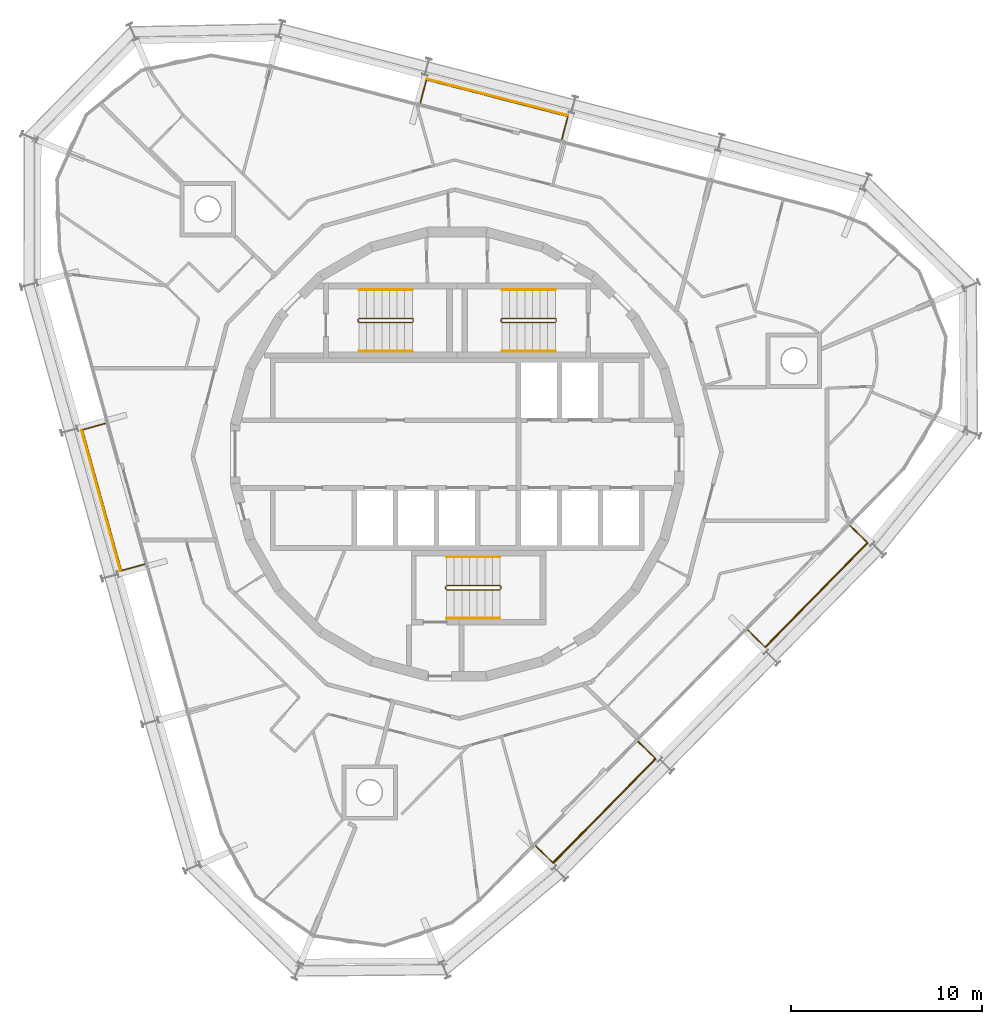
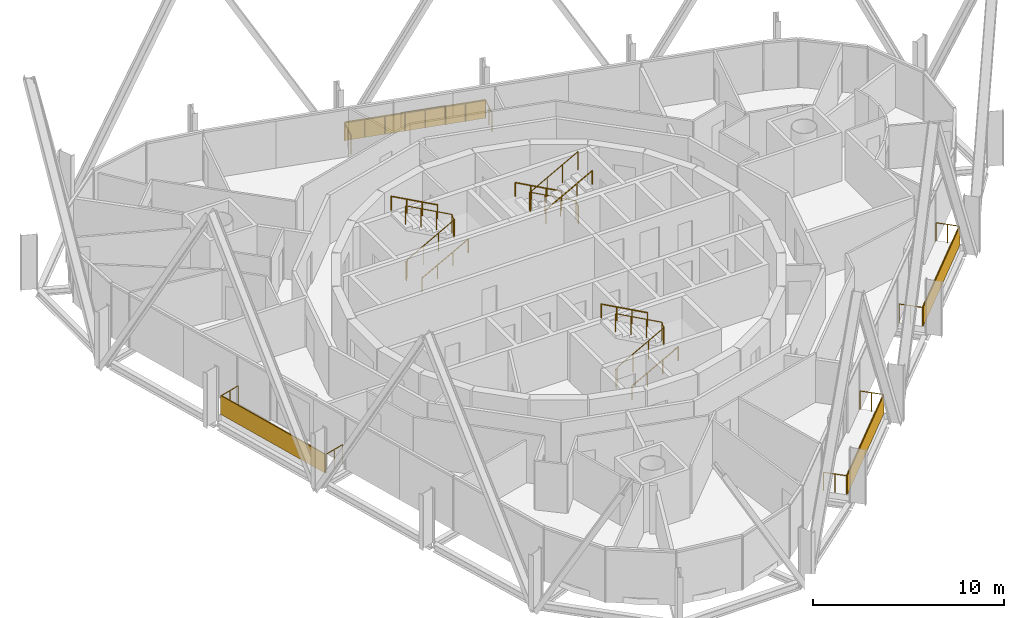
# One storey, part 15 of 15: 13 railings, 4 shading devices.
"""IFC4 building model written with IfcOpenShell, lengths in metres."""

from ifc_helpers import new_model, si_unit, direction, frame, origin, origin_2d, place, context, subcontext, project, spatial, rectangle, circle, extrude, material, layer, layer_set, type_object, element, save


model = new_model("IFC4")

# Units and contexts
model_context = context("Model", 3, precision=1e-05, world=origin(), true_north=direction((0.0, 1.0)))
body_context = subcontext(model_context, "Body", "Model", "MODEL_VIEW")
ifc_project = project(units=[si_unit("LENGTHUNIT", "METRE"), si_unit("AREAUNIT", "SQUARE_METRE"), si_unit("VOLUMEUNIT", "CUBIC_METRE"), si_unit("PLANEANGLEUNIT", "RADIAN"), si_unit("MASSUNIT", "GRAM", prefix="KILO")], contexts=[model_context])

# Site, building, storey
site_placement = place(None, origin())
site = spatial("IfcSite", under=ifc_project, at=site_placement, CompositionType="ELEMENT")
building_placement = place(site_placement, origin())
building = spatial("IfcBuilding", under=site, at=building_placement, Name="Spindle Arch Residences", CompositionType="ELEMENT")
storey_placement = place(building_placement, frame((0.0, 0.0, 312.199951171875)))
storey = spatial("IfcBuildingStorey", under=building, at=storey_placement, Name="L80", CompositionType="ELEMENT", Elevation=312.199951171875)

# Railings
ifc_material_1 = material(Name="Bronze anodised aluminium guard with glass infill", Category="aluminium")
railing_type_1 = type_object("IfcRailingType", Name="Balcony guard 1200", PredefinedType="GUARDRAIL", material=ifc_material_1)
railing_1_placement = place(storey_placement, frame((15.253662109375, -9.23779296875, 0.0)))
element("IfcRailing", 1, at=railing_1_placement, inside=storey, type_object=railing_type_1, Name="Guard L80 bay 1", PredefinedType="GUARDRAIL", context=body_context, shape_type="SweptSolid", body=[
    extrude(circle(Radius=0.02392578125, at=origin_2d()), frame((0.0, 0.0, 1.17578125), z_axis=(0.713231937859, -0.700928101034, 0.0), x_axis=(0.700928101034, 0.713231937859, 0.0)), (0.0, 0.0, 1.0), 1.25),
    extrude(circle(Radius=0.02392578125, at=origin_2d()), frame((0.8916015625, -0.876220703125, 1.17578125), z_axis=(0.700916720912, 0.713243121485, 0.0), x_axis=(-0.713243121485, 0.700916720912, 0.0)), (0.0, 0.0, 1.0), 7.6650390625),
    extrude(circle(Radius=0.02392578125, at=origin_2d()), frame((6.26416015625, 4.5908203125, 1.17578125), z_axis=(-0.713231937859, 0.700928101034, 0.0), x_axis=(-0.700928101034, -0.713231937859, 0.0)), (0.0, 0.0, 1.0), 1.25),
    extrude(circle(Radius=0.02099609375, at=origin_2d()), origin(), (0.0, 0.0, 1.0), 1.15185546875),
    extrude(circle(Radius=0.02099609375, at=origin_2d()), frame((0.44580078125, -0.43798828125, 0.0)), (0.0, 0.0, 1.0), 1.15185546875),
    extrude(circle(Radius=0.02099609375, at=origin_2d()), frame((0.8916015625, -0.876220703125, 0.0)), (0.0, 0.0, 1.0), 1.15185546875),
    extrude(circle(Radius=0.02099609375, at=origin_2d()), frame((1.6591796875, -0.09521484375, 0.0)), (0.0, 0.0, 1.0), 1.15185546875),
    extrude(circle(Radius=0.02099609375, at=origin_2d()), frame((2.426513671875, 0.685791015625, 0.0)), (0.0, 0.0, 1.0), 1.15185546875),
    extrude(circle(Radius=0.02099609375, at=origin_2d()), frame((3.194091796875, 1.466796875, 0.0)), (0.0, 0.0, 1.0), 1.15185546875),
    extrude(circle(Radius=0.02099609375, at=origin_2d()), frame((3.961669921875, 2.247802734375, 0.0)), (0.0, 0.0, 1.0), 1.15185546875),
    extrude(circle(Radius=0.02099609375, at=origin_2d()), frame((4.729248046875, 3.02880859375, 0.0)), (0.0, 0.0, 1.0), 1.15185546875),
    extrude(circle(Radius=0.02099609375, at=origin_2d()), frame((5.49658203125, 3.809814453125, 0.0)), (0.0, 0.0, 1.0), 1.15185546875),
    extrude(circle(Radius=0.02099609375, at=origin_2d()), frame((6.26416015625, 4.5908203125, 0.0)), (0.0, 0.0, 1.0), 1.15185546875),
    extrude(circle(Radius=0.02099609375, at=origin_2d()), frame((5.818359375, 5.02880859375, 0.0)), (0.0, 0.0, 1.0), 1.15185546875),
    extrude(circle(Radius=0.02099609375, at=origin_2d()), frame((5.37255859375, 5.467041015625, 0.0)), (0.0, 0.0, 1.0), 1.15185546875),
])
railing_2_placement = place(storey_placement, frame((5.494873046875, 16.50439453125, 0.0)))
element("IfcRailing", 2, at=railing_2_placement, inside=storey, type_object=railing_type_1, Name="Guard L80 bay 7", PredefinedType="GUARDRAIL", context=body_context, shape_type="SweptSolid", body=[
    extrude(circle(Radius=0.02392578125, at=origin_2d()), frame((0.0, 0.0, 1.17578125), z_axis=(0.250385978254, 0.968146095325, 0.0), x_axis=(-0.968146095325, 0.250385978254, 0.0)), (0.0, 0.0, 1.0), 1.25),
    extrude(circle(Radius=0.02392578125, at=origin_2d()), frame((0.31298828125, 1.210205078125, 1.17578125), z_axis=(-0.968147177851, 0.250381792508, 0.0), x_axis=(-0.250381792508, -0.968147177851, 0.0)), (0.0, 0.0, 1.0), 7.6650390625),
    extrude(circle(Radius=0.02392578125, at=origin_2d()), frame((-7.10791015625, 3.12939453125, 1.17578125), z_axis=(-0.250385978254, -0.968146095325, 0.0), x_axis=(0.968146095325, -0.250385978254, 0.0)), (0.0, 0.0, 1.0), 1.25),
    extrude(circle(Radius=0.02099609375, at=origin_2d()), origin(), (0.0, 0.0, 1.0), 1.15185546875),
    extrude(circle(Radius=0.02099609375, at=origin_2d()), frame((0.156494140625, 0.60498046875, 0.0)), (0.0, 0.0, 1.0), 1.15185546875),
    extrude(circle(Radius=0.02099609375, at=origin_2d()), frame((0.31298828125, 1.210205078125, 0.0)), (0.0, 0.0, 1.0), 1.15185546875),
    extrude(circle(Radius=0.02099609375, at=origin_2d()), frame((-0.7470703125, 1.484375, 0.0)), (0.0, 0.0, 1.0), 1.15185546875),
    extrude(circle(Radius=0.02099609375, at=origin_2d()), frame((-1.807373046875, 1.758544921875, 0.0)), (0.0, 0.0, 1.0), 1.15185546875),
    extrude(circle(Radius=0.02099609375, at=origin_2d()), frame((-2.867431640625, 2.03271484375, 0.0)), (0.0, 0.0, 1.0), 1.15185546875),
    extrude(circle(Radius=0.02099609375, at=origin_2d()), frame((-3.927490234375, 2.306884765625, 0.0)), (0.0, 0.0, 1.0), 1.15185546875),
    extrude(circle(Radius=0.02099609375, at=origin_2d()), frame((-4.987548828125, 2.5810546875, 0.0)), (0.0, 0.0, 1.0), 1.15185546875),
    extrude(circle(Radius=0.02099609375, at=origin_2d()), frame((-6.0478515625, 2.855224609375, 0.0)), (0.0, 0.0, 1.0), 1.15185546875),
    extrude(circle(Radius=0.02099609375, at=origin_2d()), frame((-7.10791015625, 3.12939453125, 0.0)), (0.0, 0.0, 1.0), 1.15185546875),
    extrude(circle(Radius=0.02099609375, at=origin_2d()), frame((-7.264404296875, 2.5244140625, 0.0)), (0.0, 0.0, 1.0), 1.15185546875),
    extrude(circle(Radius=0.02099609375, at=origin_2d()), frame((-7.4208984375, 1.919189453125, 0.0)), (0.0, 0.0, 1.0), 1.15185546875),
])
railing_3_placement = place(storey_placement, frame((-18.45458984375, 1.604248046875, 0.0)))
element("IfcRailing", 3, at=railing_3_placement, inside=storey, type_object=railing_type_1, Name="Guard L80 bay 13", PredefinedType="GUARDRAIL", context=body_context, shape_type="SweptSolid", body=[
    extrude(circle(Radius=0.02392578125, at=origin_2d()), frame((0.0, 0.0, 1.17578125), z_axis=(-0.963582246814, -0.267412141879, 0.0), x_axis=(0.267412141879, -0.963582246814, 0.0)), (0.0, 0.0, 1.0), 1.249755859375),
    extrude(circle(Radius=0.02392578125, at=origin_2d()), frame((-1.204345703125, -0.334228515625, 1.17578125), z_axis=(0.267233148219, -0.963631903007, 0.0), x_axis=(0.963631903007, 0.267233148219, 0.0)), (0.0, 0.0, 1.0), 7.6650390625),
    extrude(circle(Radius=0.02392578125, at=origin_2d()), frame((0.843994140625, -7.720458984375, 1.17578125), z_axis=(0.963646510798, 0.267180467526, 0.0), x_axis=(-0.267180467526, 0.963646510798, 0.0)), (0.0, 0.0, 1.0), 1.25),
    extrude(circle(Radius=0.02099609375, at=origin_2d()), origin(), (0.0, 0.0, 1.0), 1.15185546875),
    extrude(circle(Radius=0.02099609375, at=origin_2d()), frame((-0.60205078125, -0.1669921875, 0.0)), (0.0, 0.0, 1.0), 1.15185546875),
    extrude(circle(Radius=0.02099609375, at=origin_2d()), frame((-1.204345703125, -0.334228515625, 0.0)), (0.0, 0.0, 1.0), 1.15185546875),
    extrude(circle(Radius=0.02099609375, at=origin_2d()), frame((-0.91162109375, -1.389404296875, 0.0)), (0.0, 0.0, 1.0), 1.15185546875),
    extrude(circle(Radius=0.02099609375, at=origin_2d()), frame((-0.619140625, -2.444580078125, 0.0)), (0.0, 0.0, 1.0), 1.15185546875),
    extrude(circle(Radius=0.02099609375, at=origin_2d()), frame((-0.326416015625, -3.499755859375, 0.0)), (0.0, 0.0, 1.0), 1.15185546875),
    extrude(circle(Radius=0.02099609375, at=origin_2d()), frame((-0.033935546875, -4.554931640625, 0.0)), (0.0, 0.0, 1.0), 1.15185546875),
    extrude(circle(Radius=0.02099609375, at=origin_2d()), frame((0.2587890625, -5.610107421875, 0.0)), (0.0, 0.0, 1.0), 1.15185546875),
    extrude(circle(Radius=0.02099609375, at=origin_2d()), frame((0.55126953125, -6.665283203125, 0.0)), (0.0, 0.0, 1.0), 1.15185546875),
    extrude(circle(Radius=0.02099609375, at=origin_2d()), frame((0.843994140625, -7.720458984375, 0.0)), (0.0, 0.0, 1.0), 1.15185546875),
    extrude(circle(Radius=0.02099609375, at=origin_2d()), frame((1.4462890625, -7.553466796875, 0.0)), (0.0, 0.0, 1.0), 1.15185546875),
    extrude(circle(Radius=0.02099609375, at=origin_2d()), frame((2.048583984375, -7.386474609375, 0.0)), (0.0, 0.0, 1.0), 1.15185546875),
])
railing_4_placement = place(storey_placement, frame((4.130126953125, -20.557373046875, 0.0)))
element("IfcRailing", 4, at=railing_4_placement, inside=storey, type_object=railing_type_1, Name="Guard L80 bay 19", PredefinedType="GUARDRAIL", context=body_context, shape_type="SweptSolid", body=[
    extrude(circle(Radius=0.02392578125, at=origin_2d()), frame((0.0, 0.0, 1.17578125), z_axis=(0.71332957902, -0.700828732071, 0.0), x_axis=(0.700828732071, 0.71332957902, 0.0)), (0.0, 0.0, 1.0), 1.25),
    extrude(circle(Radius=0.02392578125, at=origin_2d()), frame((0.8916015625, -0.8759765625, 1.17578125), z_axis=(0.700916720912, 0.713243121485, 0.0), x_axis=(-0.713243121485, 0.700916720912, 0.0)), (0.0, 0.0, 1.0), 7.6650390625),
    extrude(circle(Radius=0.02392578125, at=origin_2d()), frame((6.26416015625, 4.591064453125, 1.17578125), z_axis=(-0.713231937859, 0.700928101034, 0.0), x_axis=(-0.700928101034, -0.713231937859, 0.0)), (0.0, 0.0, 1.0), 1.25),
    extrude(circle(Radius=0.02099609375, at=origin_2d()), origin(), (0.0, 0.0, 1.0), 1.15185546875),
    extrude(circle(Radius=0.02099609375, at=origin_2d()), frame((0.44580078125, -0.43798828125, 0.0)), (0.0, 0.0, 1.0), 1.15185546875),
    extrude(circle(Radius=0.02099609375, at=origin_2d()), frame((0.8916015625, -0.8759765625, 0.0)), (0.0, 0.0, 1.0), 1.15185546875),
    extrude(circle(Radius=0.02099609375, at=origin_2d()), frame((1.6591796875, -0.094970703125, 0.0)), (0.0, 0.0, 1.0), 1.15185546875),
    extrude(circle(Radius=0.02099609375, at=origin_2d()), frame((2.426513671875, 0.68603515625, 0.0)), (0.0, 0.0, 1.0), 1.15185546875),
    extrude(circle(Radius=0.02099609375, at=origin_2d()), frame((3.194091796875, 1.467041015625, 0.0)), (0.0, 0.0, 1.0), 1.15185546875),
    extrude(circle(Radius=0.02099609375, at=origin_2d()), frame((3.961669921875, 2.248046875, 0.0)), (0.0, 0.0, 1.0), 1.15185546875),
    extrude(circle(Radius=0.02099609375, at=origin_2d()), frame((4.729248046875, 3.029052734375, 0.0)), (0.0, 0.0, 1.0), 1.15185546875),
    extrude(circle(Radius=0.02099609375, at=origin_2d()), frame((5.49658203125, 3.81005859375, 0.0)), (0.0, 0.0, 1.0), 1.15185546875),
    extrude(circle(Radius=0.02099609375, at=origin_2d()), frame((6.26416015625, 4.591064453125, 0.0)), (0.0, 0.0, 1.0), 1.15185546875),
    extrude(circle(Radius=0.02099609375, at=origin_2d()), frame((5.818359375, 5.029296875, 0.0)), (0.0, 0.0, 1.0), 1.15185546875),
    extrude(circle(Radius=0.02099609375, at=origin_2d()), frame((5.37255859375, 5.46728515625, 0.0)), (0.0, 0.0, 1.0), 1.15185546875),
])

# Shading devices
ifc_material_2 = material(Name="Bronze perforated cobogo screen")
ifc_layer = layer(ifc_material_2, 0.0390625)
ifc_layer_set = layer_set([ifc_layer], Name="Cobogo screen 1200")
shading_device_type = type_object("IfcShadingDeviceType", Name="Cobogo screen 1200", PredefinedType="USERDEFINED", material=ifc_layer_set)
for number, where, z_axis, x_axis, name in (
    (5, (18.8603515625, -7.408935546875, 0.0), (0.0, 0.0, 1.0), (0.7009092643, 0.713250449154, 0.0), "Cobogo screen L80 bay 1"),
    (6, (2.107666015625, 18.71337890625, 0.0), (0.0, 0.0, 1.0), (-0.968147640378, 0.250380004054, 0.0), "Cobogo screen L80 bay 7"),
    (7, (-18.673828125, -2.433837890625, 0.0), (0.0, 0.0, 1.0), (0.267238376078, -0.963630453209, 0.0), "Cobogo screen L80 bay 13"),
    (8, (7.73681640625, -18.728271484375, 0.0), (0.0, 0.0, 1.0), (0.7009092643, 0.713250449154, 0.0), "Cobogo screen L80 bay 19"),
):
    element("IfcShadingDevice", number, at=place(storey_placement, frame(where, z_axis=z_axis, x_axis=x_axis)), inside=storey, type_object=shading_device_type, Name=name, ObjectType="SCREEN", PredefinedType="USERDEFINED", context=body_context, shape_type="SweptSolid", body=[
        extrude(rectangle(XDim=7.6650390625, YDim=0.0390625, at=origin_2d()), origin(), (0.0, 0.0, 1.0), 1.199951171875),
    ])

# Railings
ifc_material_3 = material(Name="Steel, painted", Category="steel")
railing_type_2 = type_object("IfcRailingType", Name="Stair guard 1100", PredefinedType="GUARDRAIL", material=ifc_material_3)
railing_5_placement = place(storey_placement, frame((5.14990234375, 6.89990234375, 3.5)))
element("IfcRailing", 9, at=railing_5_placement, inside=storey, type_object=railing_type_2, Name="L80 ST1 stair guard 1", PredefinedType="GUARDRAIL", context=body_context, shape_type="SweptSolid", body=[
    extrude(circle(Radius=0.02392578125, at=origin_2d()), frame((0.0, 0.0, 1.17578125), z_axis=(-0.877357048833, 0.0, -0.479838106931), x_axis=(0.0, -1.0, 0.0)), (0.0, 0.0, 1.0), 3.191162109375),
    extrude(circle(Radius=0.02392578125, at=origin_2d()), frame((-2.7998046875, 0.0, -0.35546875), z_axis=(-0.217683172539, 0.217683172539, -0.951434744366), x_axis=(-0.707106781187, -0.707106781187, 0.0)), (0.0, 0.0, 1.0), 0.22998046875),
    extrude(circle(Radius=0.02392578125, at=origin_2d()), frame((-2.849853515625, 0.050048828125, -0.57421875), z_axis=(0.0, 1.0, 0.0), x_axis=(-1.0, 0.0, 0.0)), (0.0, 0.0, 1.0), 0.1201171875),
    extrude(circle(Radius=0.02392578125, at=origin_2d()), frame((-2.849853515625, 0.170166015625, -0.57421875), z_axis=(0.707106781187, 0.707106781187, 0.0), x_axis=(-0.707106781187, 0.707106781187, 0.0)), (0.0, 0.0, 1.0), 0.07080078125),
    extrude(circle(Radius=0.02392578125, at=origin_2d()), frame((-2.7998046875, 0.22021484375, -0.57421875), z_axis=(0.877357048833, 0.0, -0.479838106931), x_axis=(0.0, 1.0, 0.0)), (0.0, 0.0, 1.0), 3.191162109375),
    extrude(circle(Radius=0.02392578125, at=origin_2d()), frame((0.0, 0.22021484375, -2.10546875), z_axis=(0.217683172539, -0.217683172539, -0.951434744366), x_axis=(0.707106781187, 0.707106781187, 0.0)), (0.0, 0.0, 1.0), 0.22998046875),
    extrude(circle(Radius=0.02392578125, at=origin_2d()), frame((0.050048828125, 0.170166015625, -2.32421875), z_axis=(0.0, -1.0, 0.0), x_axis=(1.0, 0.0, 0.0)), (0.0, 0.0, 1.0), 0.1201171875),
    extrude(circle(Radius=0.02099609375, at=origin_2d()), origin(), (0.0, 0.0, 1.0), 1.15185546875),
    extrude(circle(Radius=0.02099609375, at=origin_2d()), frame((-0.933349609375, 0.0, -0.510498046875)), (0.0, 0.0, 1.0), 1.15185546875),
    extrude(circle(Radius=0.02099609375, at=origin_2d()), frame((-1.866455078125, 0.0, -1.020751953125)), (0.0, 0.0, 1.0), 1.15185546875),
    extrude(circle(Radius=0.02099609375, at=origin_2d()), frame((-2.7998046875, 0.0, -1.53125)), (0.0, 0.0, 1.0), 1.15185546875),
    extrude(circle(Radius=0.02099609375, at=origin_2d()), frame((-2.849853515625, 0.050048828125, -1.75)), (0.0, 0.0, 1.0), 1.15185546875),
    extrude(circle(Radius=0.02099609375, at=origin_2d()), frame((-2.849853515625, 0.170166015625, -1.75)), (0.0, 0.0, 1.0), 1.15185546875),
    extrude(circle(Radius=0.02099609375, at=origin_2d()), frame((-2.7998046875, 0.22021484375, -1.75)), (0.0, 0.0, 1.0), 1.15185546875),
    extrude(circle(Radius=0.02099609375, at=origin_2d()), frame((-1.866455078125, 0.22021484375, -2.260498046875)), (0.0, 0.0, 1.0), 1.15185546875),
    extrude(circle(Radius=0.02099609375, at=origin_2d()), frame((-0.933349609375, 0.22021484375, -2.770751953125)), (0.0, 0.0, 1.0), 1.15185546875),
    extrude(circle(Radius=0.02099609375, at=origin_2d()), frame((0.0, 0.22021484375, -3.28125)), (0.0, 0.0, 1.0), 1.15185546875),
    extrude(circle(Radius=0.02099609375, at=origin_2d()), frame((0.050048828125, 0.170166015625, -3.5)), (0.0, 0.0, 1.0), 1.15185546875),
    extrude(circle(Radius=0.02099609375, at=origin_2d()), frame((0.050048828125, 0.050048828125, -3.5)), (0.0, 0.0, 1.0), 1.15185546875),
])
railing_6_placement = place(storey_placement, frame((-5.14990234375, 7.1201171875, 3.5)))
element("IfcRailing", 10, at=railing_6_placement, inside=storey, type_object=railing_type_2, Name="L80 ST2 stair guard 1", PredefinedType="GUARDRAIL", context=body_context, shape_type="SweptSolid", body=[
    extrude(circle(Radius=0.02392578125, at=origin_2d()), frame((0.0, 0.0, 1.17578125), z_axis=(0.877357048833, 0.0, -0.479838106931), x_axis=(0.0, 1.0, 0.0)), (0.0, 0.0, 1.0), 3.191162109375),
    extrude(circle(Radius=0.02392578125, at=origin_2d()), frame((2.7998046875, 0.0, -0.35546875), z_axis=(0.217683172539, -0.217683172539, -0.951434744366), x_axis=(0.707106781187, 0.707106781187, 0.0)), (0.0, 0.0, 1.0), 0.22998046875),
    extrude(circle(Radius=0.02392578125, at=origin_2d()), frame((2.849853515625, -0.050048828125, -0.57421875), z_axis=(0.0, -1.0, 0.0), x_axis=(1.0, 0.0, 0.0)), (0.0, 0.0, 1.0), 0.1201171875),
    extrude(circle(Radius=0.02392578125, at=origin_2d()), frame((2.849853515625, -0.170166015625, -0.57421875), z_axis=(-0.707106781187, -0.707106781187, 0.0), x_axis=(0.707106781187, -0.707106781187, 0.0)), (0.0, 0.0, 1.0), 0.07080078125),
    extrude(circle(Radius=0.02392578125, at=origin_2d()), frame((2.7998046875, -0.22021484375, -0.57421875), z_axis=(-0.877357048833, 0.0, -0.479838106931), x_axis=(0.0, -1.0, 0.0)), (0.0, 0.0, 1.0), 3.191162109375),
    extrude(circle(Radius=0.02392578125, at=origin_2d()), frame((0.0, -0.22021484375, -2.10546875), z_axis=(-0.217683172539, 0.217683172539, -0.951434744366), x_axis=(-0.707106781187, -0.707106781187, 0.0)), (0.0, 0.0, 1.0), 0.22998046875),
    extrude(circle(Radius=0.02392578125, at=origin_2d()), frame((-0.050048828125, -0.170166015625, -2.32421875), z_axis=(0.0, 1.0, 0.0), x_axis=(-1.0, 0.0, 0.0)), (0.0, 0.0, 1.0), 0.1201171875),
    extrude(circle(Radius=0.02099609375, at=origin_2d()), origin(), (0.0, 0.0, 1.0), 1.15185546875),
    extrude(circle(Radius=0.02099609375, at=origin_2d()), frame((0.933349609375, 0.0, -0.510498046875)), (0.0, 0.0, 1.0), 1.15185546875),
    extrude(circle(Radius=0.02099609375, at=origin_2d()), frame((1.866455078125, 0.0, -1.020751953125)), (0.0, 0.0, 1.0), 1.15185546875),
    extrude(circle(Radius=0.02099609375, at=origin_2d()), frame((2.7998046875, 0.0, -1.53125)), (0.0, 0.0, 1.0), 1.15185546875),
    extrude(circle(Radius=0.02099609375, at=origin_2d()), frame((2.849853515625, -0.050048828125, -1.75)), (0.0, 0.0, 1.0), 1.15185546875),
    extrude(circle(Radius=0.02099609375, at=origin_2d()), frame((2.849853515625, -0.170166015625, -1.75)), (0.0, 0.0, 1.0), 1.15185546875),
    extrude(circle(Radius=0.02099609375, at=origin_2d()), frame((2.7998046875, -0.22021484375, -1.75)), (0.0, 0.0, 1.0), 1.15185546875),
    extrude(circle(Radius=0.02099609375, at=origin_2d()), frame((1.866455078125, -0.22021484375, -2.260498046875)), (0.0, 0.0, 1.0), 1.15185546875),
    extrude(circle(Radius=0.02099609375, at=origin_2d()), frame((0.933349609375, -0.22021484375, -2.770751953125)), (0.0, 0.0, 1.0), 1.15185546875),
    extrude(circle(Radius=0.02099609375, at=origin_2d()), frame((0.0, -0.22021484375, -3.28125)), (0.0, 0.0, 1.0), 1.15185546875),
    extrude(circle(Radius=0.02099609375, at=origin_2d()), frame((-0.050048828125, -0.170166015625, -3.5)), (0.0, 0.0, 1.0), 1.15185546875),
    extrude(circle(Radius=0.02099609375, at=origin_2d()), frame((-0.050048828125, -0.050048828125, -3.5)), (0.0, 0.0, 1.0), 1.15185546875),
])
railing_7_placement = place(storey_placement, frame((-0.550048828125, -6.89990234375, 3.5)))
element("IfcRailing", 11, at=railing_7_placement, inside=storey, type_object=railing_type_2, Name="L80 ST3 stair guard 1", PredefinedType="GUARDRAIL", context=body_context, shape_type="SweptSolid", body=[
    extrude(circle(Radius=0.02392578125, at=origin_2d()), frame((0.0, 0.0, 1.17578125), z_axis=(0.877374661878, 0.0, -0.479805901063), x_axis=(0.0, 1.0, 0.0)), (0.0, 0.0, 1.0), 3.19140625),
    extrude(circle(Radius=0.02392578125, at=origin_2d()), frame((2.800048828125, 0.0, -0.35546875), z_axis=(0.217683172539, -0.217683172539, -0.951434744366), x_axis=(0.707106781187, 0.707106781187, 0.0)), (0.0, 0.0, 1.0), 0.22998046875),
    extrude(circle(Radius=0.02392578125, at=origin_2d()), frame((2.85009765625, -0.050048828125, -0.57421875), z_axis=(0.0, -1.0, 0.0), x_axis=(1.0, 0.0, 0.0)), (0.0, 0.0, 1.0), 0.1201171875),
    extrude(circle(Radius=0.02392578125, at=origin_2d()), frame((2.85009765625, -0.170166015625, -0.57421875), z_axis=(-0.707106781187, -0.707106781187, 0.0), x_axis=(0.707106781187, -0.707106781187, 0.0)), (0.0, 0.0, 1.0), 0.07080078125),
    extrude(circle(Radius=0.02392578125, at=origin_2d()), frame((2.800048828125, -0.22021484375, -0.57421875), z_axis=(-0.877374661878, 0.0, -0.479805901063), x_axis=(0.0, -1.0, 0.0)), (0.0, 0.0, 1.0), 3.19140625),
    extrude(circle(Radius=0.02392578125, at=origin_2d()), frame((0.0, -0.22021484375, -2.10546875), z_axis=(-0.217683172539, 0.217683172539, -0.951434744366), x_axis=(-0.707106781187, -0.707106781187, 0.0)), (0.0, 0.0, 1.0), 0.22998046875),
    extrude(circle(Radius=0.02392578125, at=origin_2d()), frame((-0.050048828125, -0.170166015625, -2.32421875), z_axis=(0.0, 1.0, 0.0), x_axis=(-1.0, 0.0, 0.0)), (0.0, 0.0, 1.0), 0.1201171875),
    extrude(circle(Radius=0.02099609375, at=origin_2d()), origin(), (0.0, 0.0, 1.0), 1.15185546875),
    extrude(circle(Radius=0.02099609375, at=origin_2d()), frame((0.933349609375, 0.0, -0.510498046875)), (0.0, 0.0, 1.0), 1.15185546875),
    extrude(circle(Radius=0.02099609375, at=origin_2d()), frame((1.86669921875, 0.0, -1.020751953125)), (0.0, 0.0, 1.0), 1.15185546875),
    extrude(circle(Radius=0.02099609375, at=origin_2d()), frame((2.800048828125, 0.0, -1.53125)), (0.0, 0.0, 1.0), 1.15185546875),
    extrude(circle(Radius=0.02099609375, at=origin_2d()), frame((2.85009765625, -0.050048828125, -1.75)), (0.0, 0.0, 1.0), 1.15185546875),
    extrude(circle(Radius=0.02099609375, at=origin_2d()), frame((2.85009765625, -0.170166015625, -1.75)), (0.0, 0.0, 1.0), 1.15185546875),
    extrude(circle(Radius=0.02099609375, at=origin_2d()), frame((2.800048828125, -0.22021484375, -1.75)), (0.0, 0.0, 1.0), 1.15185546875),
    extrude(circle(Radius=0.02099609375, at=origin_2d()), frame((1.86669921875, -0.22021484375, -2.260498046875)), (0.0, 0.0, 1.0), 1.15185546875),
    extrude(circle(Radius=0.02099609375, at=origin_2d()), frame((0.933349609375, -0.22021484375, -2.770751953125)), (0.0, 0.0, 1.0), 1.15185546875),
    extrude(circle(Radius=0.02099609375, at=origin_2d()), frame((0.0, -0.22021484375, -3.28125)), (0.0, 0.0, 1.0), 1.15185546875),
    extrude(circle(Radius=0.02099609375, at=origin_2d()), frame((-0.050048828125, -0.170166015625, -3.5)), (0.0, 0.0, 1.0), 1.15185546875),
    extrude(circle(Radius=0.02099609375, at=origin_2d()), frame((-0.050048828125, -0.050048828125, -3.5)), (0.0, 0.0, 1.0), 1.15185546875),
])
ifc_material_4 = material(Name="Steel, painted", Category="steel")
railing_type_3 = type_object("IfcRailingType", Name="Stair handrail 900", PredefinedType="HANDRAIL", material=ifc_material_4)
railing_8_placement = place(storey_placement, frame((5.14990234375, 8.6201171875, 0.21875)))
element("IfcRailing", 12, at=railing_8_placement, inside=storey, type_object=railing_type_3, Name="L80 ST1 stair handrail 1", PredefinedType="HANDRAIL", context=body_context, shape_type="SweptSolid", body=[
    extrude(circle(Radius=0.02392578125, at=origin_2d()), frame((0.0, 0.0, 0.8759765625), z_axis=(-0.877357048833, 0.0, 0.479838106931), x_axis=(0.0, -1.0, 0.0)), (0.0, 0.0, 1.0), 3.191162109375),
    extrude(circle(Radius=0.02099609375, at=origin_2d()), origin(), (0.0, 0.0, 1.0), 0.851806640625),
    extrude(circle(Radius=0.02099609375, at=origin_2d()), frame((-0.933349609375, 0.0, 0.510498046875)), (0.0, 0.0, 1.0), 0.851806640625),
    extrude(circle(Radius=0.02099609375, at=origin_2d()), frame((-1.866455078125, 0.0, 1.020751953125)), (0.0, 0.0, 1.0), 0.851806640625),
    extrude(circle(Radius=0.02099609375, at=origin_2d()), frame((-2.7998046875, 0.0, 1.53125)), (0.0, 0.0, 1.0), 0.851806640625),
])
for number, where, name in (
    (13, (2.35009765625, 5.39990234375, 1.96875), "L80 ST1 stair handrail 2"),
    (14, (-5.14990234375, 5.39990234375, 0.21875), "L80 ST2 stair handrail 1"),
):
    element("IfcRailing", number, at=place(storey_placement, frame(where)), inside=storey, type_object=railing_type_3, Name=name, PredefinedType="HANDRAIL", context=body_context, shape_type="SweptSolid", body=[
        extrude(circle(Radius=0.02392578125, at=origin_2d()), frame((0.0, 0.0, 0.8759765625), z_axis=(0.877357048833, 0.0, 0.479838106931), x_axis=(0.0, 1.0, 0.0)), (0.0, 0.0, 1.0), 3.191162109375),
        extrude(circle(Radius=0.02099609375, at=origin_2d()), origin(), (0.0, 0.0, 1.0), 0.851806640625),
        extrude(circle(Radius=0.02099609375, at=origin_2d()), frame((0.933349609375, 0.0, 0.510498046875)), (0.0, 0.0, 1.0), 0.851806640625),
        extrude(circle(Radius=0.02099609375, at=origin_2d()), frame((1.866455078125, 0.0, 1.020751953125)), (0.0, 0.0, 1.0), 0.851806640625),
        extrude(circle(Radius=0.02099609375, at=origin_2d()), frame((2.7998046875, 0.0, 1.53125)), (0.0, 0.0, 1.0), 0.851806640625),
    ])
railing_9_placement = place(storey_placement, frame((-2.35009765625, 8.6201171875, 1.96875)))
element("IfcRailing", 15, at=railing_9_placement, inside=storey, type_object=railing_type_3, Name="L80 ST2 stair handrail 2", PredefinedType="HANDRAIL", context=body_context, shape_type="SweptSolid", body=[
    extrude(circle(Radius=0.02392578125, at=origin_2d()), frame((0.0, 0.0, 0.8759765625), z_axis=(-0.877357048833, 0.0, 0.479838106931), x_axis=(0.0, -1.0, 0.0)), (0.0, 0.0, 1.0), 3.191162109375),
    extrude(circle(Radius=0.02099609375, at=origin_2d()), origin(), (0.0, 0.0, 1.0), 0.851806640625),
    extrude(circle(Radius=0.02099609375, at=origin_2d()), frame((-0.933349609375, 0.0, 0.510498046875)), (0.0, 0.0, 1.0), 0.851806640625),
    extrude(circle(Radius=0.02099609375, at=origin_2d()), frame((-1.866455078125, 0.0, 1.020751953125)), (0.0, 0.0, 1.0), 0.851806640625),
    extrude(circle(Radius=0.02099609375, at=origin_2d()), frame((-2.7998046875, 0.0, 1.53125)), (0.0, 0.0, 1.0), 0.851806640625),
])
railing_10_placement = place(storey_placement, frame((-0.550048828125, -8.6201171875, 0.21875)))
element("IfcRailing", 16, at=railing_10_placement, inside=storey, type_object=railing_type_3, Name="L80 ST3 stair handrail 1", PredefinedType="HANDRAIL", context=body_context, shape_type="SweptSolid", body=[
    extrude(circle(Radius=0.02392578125, at=origin_2d()), frame((0.0, 0.0, 0.8759765625), z_axis=(0.877374661878, 0.0, 0.479805901063), x_axis=(0.0, 1.0, 0.0)), (0.0, 0.0, 1.0), 3.19140625),
    extrude(circle(Radius=0.02099609375, at=origin_2d()), origin(), (0.0, 0.0, 1.0), 0.851806640625),
    extrude(circle(Radius=0.02099609375, at=origin_2d()), frame((0.933349609375, 0.0, 0.510498046875)), (0.0, 0.0, 1.0), 0.851806640625),
    extrude(circle(Radius=0.02099609375, at=origin_2d()), frame((1.86669921875, 0.0, 1.020751953125)), (0.0, 0.0, 1.0), 0.851806640625),
    extrude(circle(Radius=0.02099609375, at=origin_2d()), frame((2.800048828125, 0.0, 1.53125)), (0.0, 0.0, 1.0), 0.851806640625),
])
railing_11_placement = place(storey_placement, frame((2.25, -5.39990234375, 1.96875)))
element("IfcRailing", 17, at=railing_11_placement, inside=storey, type_object=railing_type_3, Name="L80 ST3 stair handrail 2", PredefinedType="HANDRAIL", context=body_context, shape_type="SweptSolid", body=[
    extrude(circle(Radius=0.02392578125, at=origin_2d()), frame((0.0, 0.0, 0.8759765625), z_axis=(-0.877374661878, 0.0, 0.479805901063), x_axis=(0.0, -1.0, 0.0)), (0.0, 0.0, 1.0), 3.19140625),
    extrude(circle(Radius=0.02099609375, at=origin_2d()), origin(), (0.0, 0.0, 1.0), 0.851806640625),
    extrude(circle(Radius=0.02099609375, at=origin_2d()), frame((-0.933349609375, 0.0, 0.510498046875)), (0.0, 0.0, 1.0), 0.851806640625),
    extrude(circle(Radius=0.02099609375, at=origin_2d()), frame((-1.86669921875, 0.0, 1.020751953125)), (0.0, 0.0, 1.0), 0.851806640625),
    extrude(circle(Radius=0.02099609375, at=origin_2d()), frame((-2.800048828125, 0.0, 1.53125)), (0.0, 0.0, 1.0), 0.851806640625),
])

save(model, "model.ifc")
